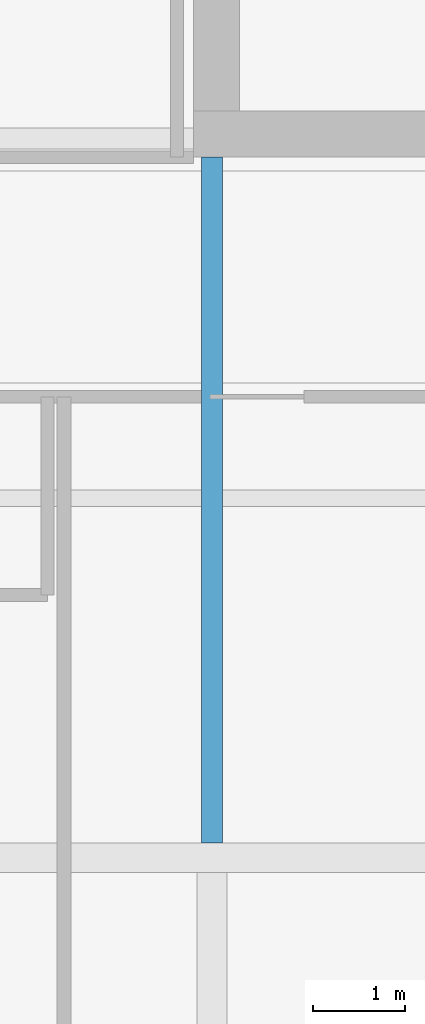
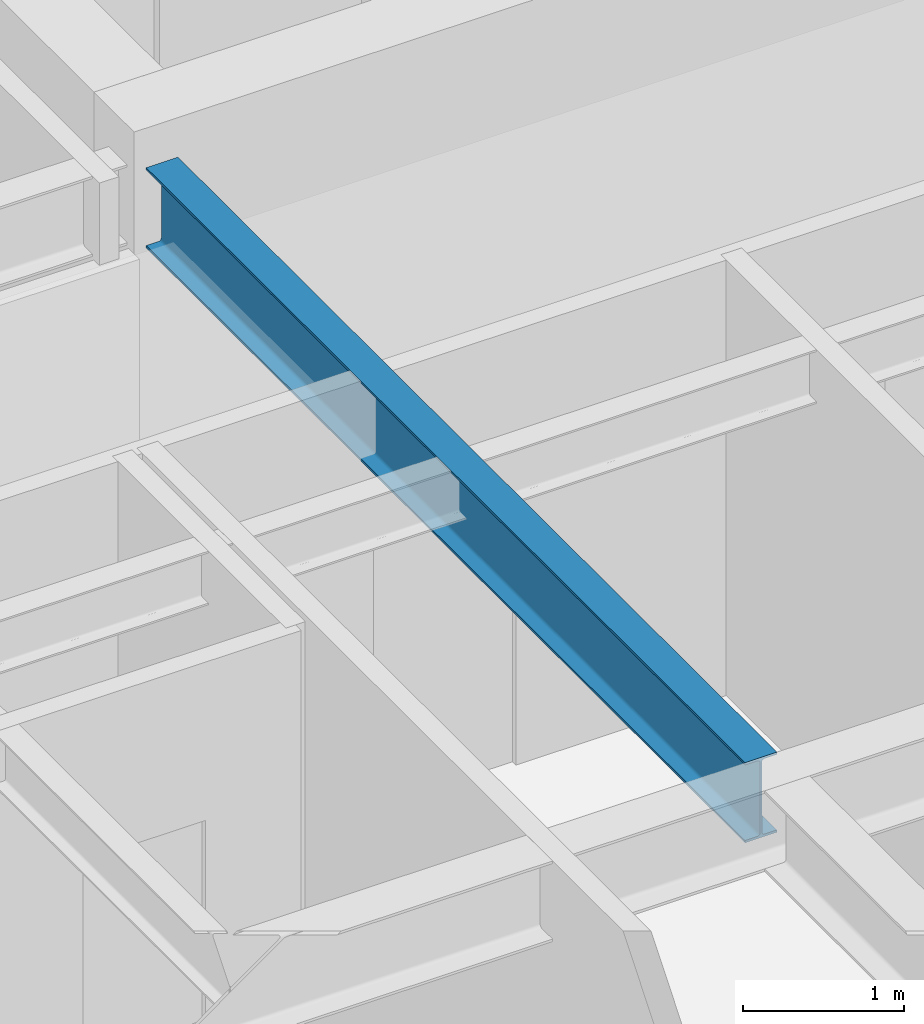
# One storey, part 6 of 34: 1 beam.
"""IFC4 building model written with IfcOpenShell, lengths in metres."""

from ifc_helpers import new_model, si_unit, direction, frame, origin, origin_2d, place, context, subcontext, project, spatial, i_section, extrude, material, material_profile, profile_set, type_object, element, save


model = new_model("IFC4")

# Units and contexts
model_context = context("Model", 3, precision=1e-05, world=origin(), true_north=direction((0.0, 1.0)))
body_context = subcontext(model_context, "Body", "Model", "MODEL_VIEW")
ifc_project = project(units=[si_unit("LENGTHUNIT", "METRE"), si_unit("AREAUNIT", "SQUARE_METRE"), si_unit("VOLUMEUNIT", "CUBIC_METRE"), si_unit("PLANEANGLEUNIT", "RADIAN"), si_unit("MASSUNIT", "GRAM", prefix="KILO")], contexts=[model_context])

# Site, building, storey
site_placement = place(None, origin())
site = spatial("IfcSite", under=ifc_project, at=site_placement, CompositionType="ELEMENT")
building_placement = place(site_placement, origin())
building = spatial("IfcBuilding", under=site, at=building_placement, Name="Drelvath Grand Hotel", CompositionType="ELEMENT")
storey_placement = place(building_placement, frame((0.0, 0.0, 251.89990234375)))
storey = spatial("IfcBuildingStorey", under=building, at=storey_placement, Name="L66", CompositionType="ELEMENT", Elevation=251.89990234375)

# Beam
ifc_material = material(Name="Steel ASTM A992 Gr 50", Category="steel")
ifc_material_profile = material_profile(ifc_material, i_section(OverallWidth=0.228271484375, OverallDepth=0.607666015625, WebThickness=0.01123046875, FlangeThickness=0.017333984375, FilletRadius=0.02001953125, at=origin_2d()), Name="W24X76")
ifc_profile_set = profile_set([ifc_material_profile], Name="Steel ASTM A992 Gr 50")
beam_type = type_object("IfcBeamType", Name="Primary Floor Girder W24X76", PredefinedType="BEAM", material=ifc_profile_set)
beam_placement = place(storey_placement, frame((-8.39990234375, 10.9619140625, 2.996337890625), z_axis=(0.0, 1.0, 0.0), x_axis=(-1.0, 0.0, 0.0)))
element("IfcBeam", 1, at=beam_placement, inside=storey, type_object=beam_type, Name="L66 South Core Tie 4", PredefinedType="BEAM", context=body_context, shape_type="SweptSolid", body=[
    extrude(i_section(OverallWidth=0.228271484375, OverallDepth=0.607666015625, WebThickness=0.01123046875, FlangeThickness=0.017333984375, FilletRadius=0.02001953125, at=origin_2d()), origin(), (0.0, 0.0, 1.0), 7.43798828125),
])

save(model, "model.ifc")
